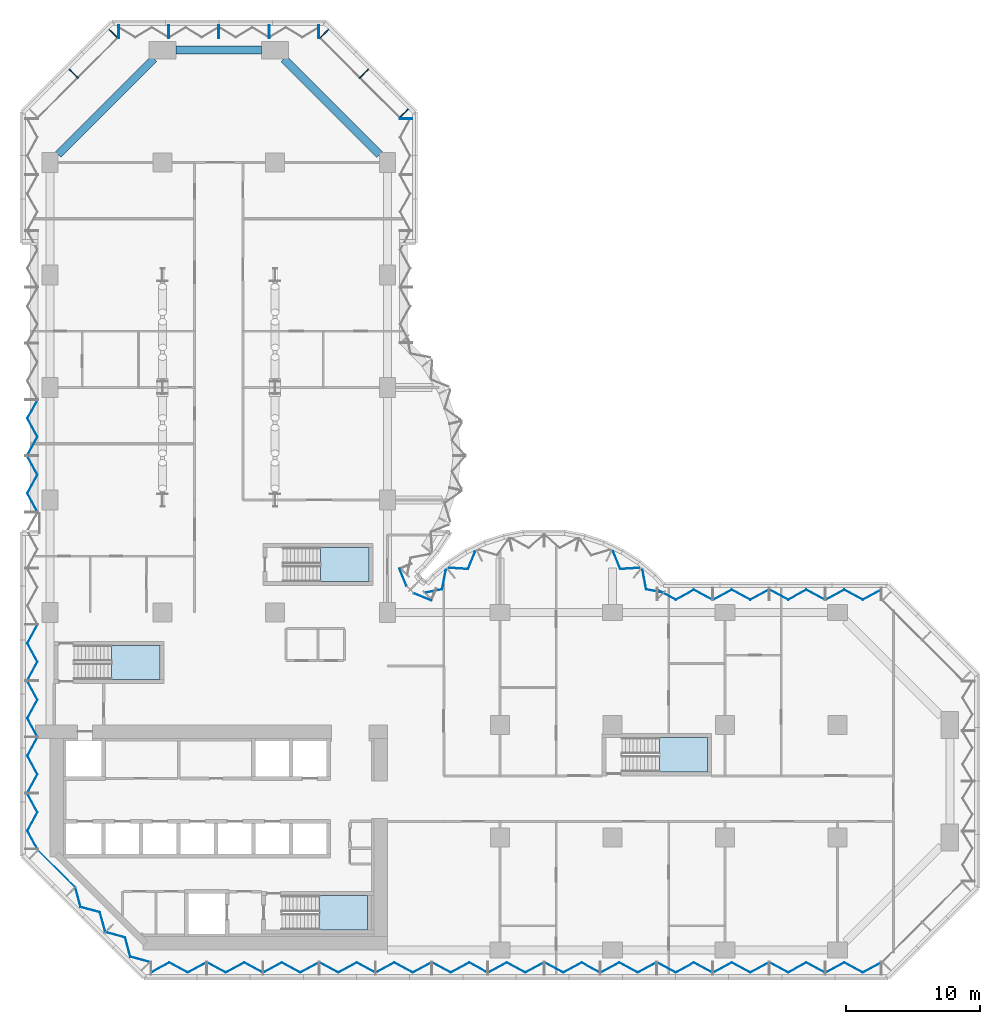
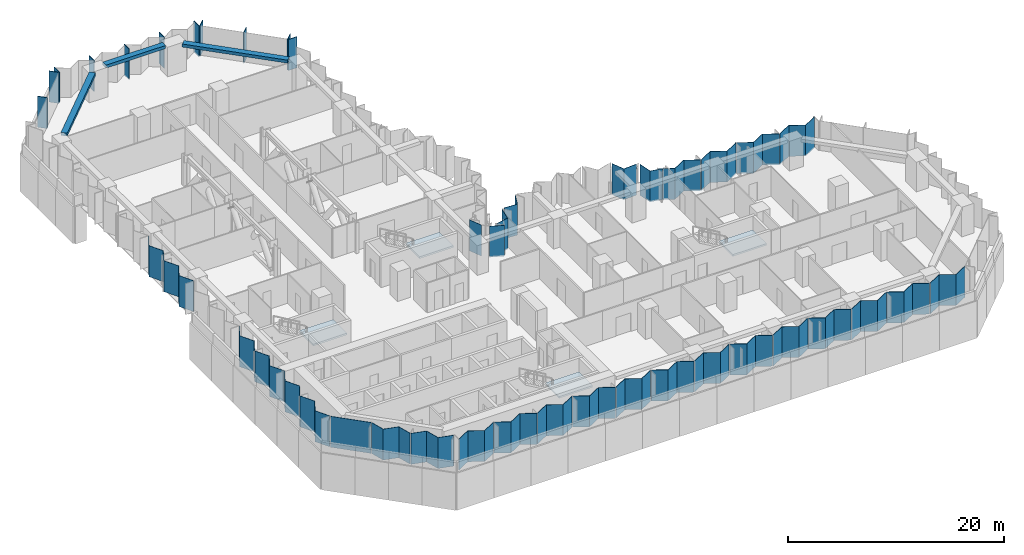
# One storey, part 6 of 24: 32 plates, 11 members, 4 slabs, 3 beams, 14 elements without a shape of their own.
"""IFC4 building model written with IfcOpenShell, lengths in metres."""

import ifcopenshell
import ifcopenshell.guid

model = None  # the IFC model being written
_history = None  # IfcOwnerHistory: only IFC2X3 demands one
_inside = {}  # id of a spatial element -> (the spatial element, [elements in it])
_under = {}  # id of a project, library or spatial element -> (it, [spatial elements below it])
_declared = {}  # id of a project -> (the project, [libraries it declares])
_typed = {}  # id of a type object -> (the type object, [elements of that type])
_made_of = {}  # id of a material, layer set ... -> (it, [elements and type objects made of it])


def new_model(schema):
    """Start an empty IFC model of exactly this schema.

    Asked for "IFC4X3", IfcOpenShell would pick the latest addendum, in which some entities
    have other attributes; the version numbers below select the first issue.
    IFC2X3 requires an IfcOwnerHistory on every rooted entity: one is made here for all.
    """
    global model, _history
    if schema == "IFC4X3":
        model = ifcopenshell.file(schema_version=(4, 3, 0, 0))
    else:
        model = ifcopenshell.file(schema=schema)
    _inside.clear()
    _under.clear()
    _declared.clear()
    _typed.clear()
    _made_of.clear()
    _history = None
    if model.schema == "IFC2X3":
        org = make("IfcOrganization", Name="unknown")
        user = make(
            "IfcPersonAndOrganization",
            ThePerson=make("IfcPerson", FamilyName="unknown"),
            TheOrganization=org,
        )
        app = make(
            "IfcApplication",
            ApplicationDeveloper=org,
            Version="unknown",
            ApplicationFullName="unknown",
            ApplicationIdentifier="unknown",
        )
        _history = make(
            "IfcOwnerHistory",
            OwningUser=user,
            OwningApplication=app,
            ChangeAction="ADDED",
            CreationDate=0,
        )
    return model


def make(cls, **values):
    """One entity of the class cls with the attributes given. An attribute that is None is left unset."""
    return model.create_entity(
        cls, **{name: value for name, value in values.items() if value is not None}
    )


def rooted(cls, **values):
    """An entity with a GlobalId (a new one), such as an element, a storey or a relation."""
    return make(cls, GlobalId=ifcopenshell.guid.new(), OwnerHistory=_history, **values)


def si_unit(unit_type, name, prefix=None):
    """IfcSIUnit, for example si_unit("LENGTHUNIT", "METRE", prefix="MILLI")."""
    return make("IfcSIUnit", UnitType=unit_type, Prefix=prefix, Name=name)


def assignment(units):
    """IfcUnitAssignment: the units of a project."""
    return None if units is None else make("IfcUnitAssignment", Units=units)


def point(xyz):
    """IfcCartesianPoint."""
    return None if xyz is None else make("IfcCartesianPoint", Coordinates=xyz)


def direction(xyz):
    """IfcDirection."""
    return None if xyz is None else make("IfcDirection", DirectionRatios=xyz)


def frame(location, z_axis=None, x_axis=None):
    """IfcAxis2Placement3D, a coordinate frame: its origin and axes. An axis left out is left unset."""
    return make(
        "IfcAxis2Placement3D",
        Location=point(location),
        Axis=direction(z_axis),
        RefDirection=direction(x_axis),
    )


def frame_2d(location, x_axis=None):
    """IfcAxis2Placement2D, a coordinate frame in the plane: its origin and x axis."""
    return make(
        "IfcAxis2Placement2D", Location=point(location), RefDirection=direction(x_axis)
    )


def origin():
    """The frame at (0, 0, 0) with its axes left unset."""
    return frame((0.0, 0.0, 0.0))


def origin_2d():
    """The frame at (0, 0) in the plane with its x axis left unset."""
    return frame_2d((0.0, 0.0))


def place(relative_to, where):
    """IfcLocalPlacement: puts the frame where relative to a parent placement (None: the world)."""
    return make(
        "IfcLocalPlacement", PlacementRelTo=relative_to, RelativePlacement=where
    )


def context(
    kind, dimensions, precision=None, world=None, true_north=None, identifier=None
):
    """IfcGeometricRepresentationContext, for example the 3D "Model" context."""
    return make(
        "IfcGeometricRepresentationContext",
        ContextIdentifier=identifier,
        ContextType=kind,
        CoordinateSpaceDimension=dimensions,
        Precision=precision,
        WorldCoordinateSystem=world,
        TrueNorth=true_north,
    )


def subcontext(parent, identifier, kind, view, scale=None):
    """IfcGeometricRepresentationSubContext, for example "Body" below "Model"."""
    return make(
        "IfcGeometricRepresentationSubContext",
        ContextIdentifier=identifier,
        ContextType=kind,
        ParentContext=parent,
        TargetScale=scale,
        TargetView=view,
    )


def project(units=None, contexts=None):
    """IfcProject with its units and contexts."""
    return rooted(
        "IfcProject",
        Name="project",
        RepresentationContexts=contexts,
        UnitsInContext=assignment(units),
    )


def spatial(cls, under=None, at=None, **own):
    """A site, building, storey or space (cls), placed at a placement, below another one or the project."""
    s = rooted(cls, ObjectPlacement=at, **own)
    if under is not None:
        _under.setdefault(under.id(), (under, []))[1].append(s)
    return s


def polyline(points):
    """IfcPolyline through the points."""
    return make("IfcPolyline", Points=[point(p) for p in points])


def profile(cls, at=None, kind="AREA", **sizes):
    """A parametric profile (cls). Its sizes go by their IFC names, for example OverallWidth=200.0."""
    return make(cls, ProfileType=kind, Position=at, **sizes)


def rectangle(**sizes):
    """IfcRectangleProfileDef."""
    return profile("IfcRectangleProfileDef", **sizes)


def outline(outer, holes=None, kind="AREA"):
    """IfcArbitraryClosedProfileDef: a profile drawn as a closed curve; with holes, ...WithVoids."""
    if holes is None:
        return make("IfcArbitraryClosedProfileDef", ProfileType=kind, OuterCurve=outer)
    return make(
        "IfcArbitraryProfileDefWithVoids",
        ProfileType=kind,
        OuterCurve=outer,
        InnerCurves=holes,
    )


def extrude(swept, where, along, depth):
    """IfcExtrudedAreaSolid: the profile swept, set in the frame where, extruded along a direction by depth."""
    return make(
        "IfcExtrudedAreaSolid",
        SweptArea=swept,
        Position=where,
        ExtrudedDirection=direction(along),
        Depth=depth,
    )


def shape(context_of_items, identifier, shape_type, items):
    """IfcShapeRepresentation: the items that make up one representation, for example the "Body"."""
    return make(
        "IfcShapeRepresentation",
        ContextOfItems=context_of_items,
        RepresentationIdentifier=identifier,
        RepresentationType=shape_type,
        Items=items,
    )


def material(Name=None, Category=None):
    """IfcMaterial."""
    return make("IfcMaterial", Name=Name, Category=Category)


def layer(
    of_material, thickness, ventilated=None, Name=None, Category=None, Priority=None
):
    """IfcMaterialLayer: one layer of a wall or slab, of a material (None: an air gap)."""
    return make(
        "IfcMaterialLayer",
        Material=of_material,
        LayerThickness=thickness,
        IsVentilated=ventilated,
        Name=Name,
        Category=Category,
        Priority=Priority,
    )


def layer_set(layers, Name=None):
    """IfcMaterialLayerSet."""
    return make("IfcMaterialLayerSet", MaterialLayers=layers, LayerSetName=Name)


def material_profile(
    of_material, cross_section, Name=None, Category=None, Priority=None
):
    """IfcMaterialProfile: a cross section and its material."""
    return make(
        "IfcMaterialProfile",
        Name=Name,
        Material=of_material,
        Profile=cross_section,
        Priority=Priority,
        Category=Category,
    )


def profile_set(profiles, Name=None, composite=None):
    """IfcMaterialProfileSet."""
    return make(
        "IfcMaterialProfileSet",
        Name=Name,
        MaterialProfiles=profiles,
        CompositeProfile=composite,
    )


def made_of(thing, what):
    """Note that an element or type object is made of a material, layer set ...; save() writes the relation."""
    if what is not None:
        _made_of.setdefault(what.id(), (what, []))[1].append(thing)
    return thing


def type_object(cls, material=None, **own):
    """A type object (cls), such as IfcWallType, which elements share."""
    return made_of(rooted(cls, **own), material)


def element(
    cls,
    number,
    at=None,
    inside=None,
    cuts=None,
    type_object=None,
    material=None,
    context=None,
    identifier="Body",
    shape_type=None,
    held_by="IfcProductDefinitionShape",
    body=None,
    shapes=None,
    **own,
):
    """One element of the class cls, such as IfcWall. Its Tag is "e" and its number.

    at: its placement. inside: the storey or other place that contains it. cuts: it is an
    opening in that element (IfcRelVoidsElement). A single representation is given by context,
    identifier, shape_type and body (its items); several are given by shapes. held_by: the class
    of the entity that holds the representations. save() writes the other relations.
    """
    e = rooted(cls, Tag="e%d" % number, ObjectPlacement=at, **own)
    if body is not None:
        shapes = [shape(context, identifier, shape_type, body)]
    if shapes is not None:
        e.Representation = make(held_by, Representations=shapes)
    if inside is not None:
        _inside.setdefault(inside.id(), (inside, []))[1].append(e)
    if cuts is not None:
        rooted(
            "IfcRelVoidsElement", RelatingBuildingElement=cuts, RelatedOpeningElement=e
        )
    if type_object is not None:
        _typed.setdefault(type_object.id(), (type_object, []))[1].append(e)
    return made_of(e, material)


def aggregate(whole, parts):
    """IfcRelAggregates: a whole, such as a stair, and the parts it consists of."""
    return rooted("IfcRelAggregates", RelatingObject=whole, RelatedObjects=parts)


def save(model, path):
    """Write the relations noted so far, then the file.

    IfcRelAggregates (storeys below a building ...), IfcRelContainedInSpatialStructure (elements
    in a storey), IfcRelDefinesByType, IfcRelAssociatesMaterial and IfcRelDeclares: one each for
    every whole, place, type object, material and project.
    """
    for whole, parts in _under.values():
        aggregate(whole, parts)
    for where, things in _inside.values():
        rooted(
            "IfcRelContainedInSpatialStructure",
            RelatedElements=things,
            RelatingStructure=where,
        )
    for kind, things in _typed.values():
        rooted("IfcRelDefinesByType", RelatedObjects=things, RelatingType=kind)
    for what, things in _made_of.values():
        rooted("IfcRelAssociatesMaterial", RelatedObjects=things, RelatingMaterial=what)
    for by, libraries in _declared.values():
        rooted("IfcRelDeclares", RelatingContext=by, RelatedDefinitions=libraries)
    model.write(path)


model = new_model("IFC4")

# Units and contexts
model_context = context("Model", 3, precision=1e-05, world=origin(), true_north=direction((0.0, 1.0)))
body_context = subcontext(model_context, "Body", "Model", "MODEL_VIEW")
ifc_project = project(units=[si_unit("LENGTHUNIT", "METRE"), si_unit("AREAUNIT", "SQUARE_METRE"), si_unit("VOLUMEUNIT", "CUBIC_METRE"), si_unit("PLANEANGLEUNIT", "RADIAN"), si_unit("MASSUNIT", "GRAM", prefix="KILO")], contexts=[model_context])

# Site, building, storey
site_placement = place(None, origin())
site = spatial("IfcSite", under=ifc_project, at=site_placement, CompositionType="ELEMENT")
building_placement = place(site_placement, origin())
building = spatial("IfcBuilding", under=site, at=building_placement, Name="Brevane Broadcast Tower", CompositionType="ELEMENT")
storey_placement = place(building_placement, frame((0.0, 0.0, 36.5)))
storey = spatial("IfcBuildingStorey", under=building, at=storey_placement, Name="L06", CompositionType="ELEMENT", Elevation=36.5)

# Curtain wall, member
ifc_material_1 = material(Name="Aluminium 6063-T6 bronze anodised", Category="aluminium")
curtain_wall_type = type_object("IfcCurtainWallType", Name="CW-1 curtain wall", PredefinedType="NOTDEFINED", material=ifc_material_1)
curtain_wall_1_placement = place(storey_placement, origin())
curtain_wall_1 = element("IfcCurtainWall", 1, at=curtain_wall_1_placement, inside=storey, type_object=curtain_wall_type, Name="CW-1 typical tilted unit L06 north arm east face", PredefinedType="NOTDEFINED")
ifc_material_profile_1 = material_profile(ifc_material_1, rectangle(XDim=0.949951171875, YDim=0.070068359375, at=origin_2d()), Name="RECT 70x950")
ifc_profile_set_1 = profile_set([ifc_material_profile_1], Name="Aluminium 6063-T6 bronze anodised")
member_type = type_object("IfcMemberType", Name="CW-1 mullion 70x950", PredefinedType="MULLION", material=ifc_profile_set_1)
member_1_placement = place(storey_placement, frame((26.574951171875, 62.06494140625, -0.14990234375), z_axis=(0.0, 0.0, 1.0), x_axis=(-1.0, 0.0, 0.0)))
member_1 = element("IfcMember", 2, at=member_1_placement, type_object=member_type, Name="CW-1 mullion", PredefinedType="MULLION", context=body_context, shape_type="SweptSolid", body=[
    extrude(rectangle(XDim=0.949951171875, YDim=0.070068359375, at=origin_2d()), origin(), (0.0, 0.0, 1.0), 3.5),
])
aggregate(curtain_wall_1, [member_1])

# Curtain wall, members
curtain_wall_2_placement = place(storey_placement, origin())
curtain_wall_2 = element("IfcCurtainWall", 3, at=curtain_wall_2_placement, inside=storey, type_object=curtain_wall_type, Name="CW-1 typical tilted unit L06 north arm north-east chamfer", PredefinedType="NOTDEFINED")
member_2_placement = place(storey_placement, frame((26.4111328125, 62.460693359375, -0.14990234375), z_axis=(0.0, 0.0, 1.0), x_axis=(-0.707106781187, -0.707106781187, 0.0)))
member_2 = element("IfcMember", 4, at=member_2_placement, type_object=member_type, Name="CW-1 mullion", PredefinedType="MULLION", context=body_context, shape_type="SweptSolid", body=[
    extrude(rectangle(XDim=0.949951171875, YDim=0.070068359375, at=origin_2d()), origin(), (0.0, 0.0, 1.0), 3.5),
])
member_3_placement = place(storey_placement, frame((23.435791015625, 65.435791015625, -0.14990234375), z_axis=(0.0, 0.0, 1.0), x_axis=(-0.707106781187, -0.707106781187, 0.0)))
member_3 = element("IfcMember", 5, at=member_3_placement, type_object=member_type, Name="CW-1 mullion", PredefinedType="MULLION", context=body_context, shape_type="SweptSolid", body=[
    extrude(rectangle(XDim=0.949951171875, YDim=0.070068359375, at=origin_2d()), origin(), (0.0, 0.0, 1.0), 3.5),
])
member_4_placement = place(storey_placement, frame((20.460693359375, 68.4111328125, -0.14990234375), z_axis=(0.0, 0.0, 1.0), x_axis=(-0.707106781187, -0.707106781187, 0.0)))
member_4 = element("IfcMember", 6, at=member_4_placement, type_object=member_type, Name="CW-1 mullion", PredefinedType="MULLION", context=body_context, shape_type="SweptSolid", body=[
    extrude(rectangle(XDim=0.949951171875, YDim=0.070068359375, at=origin_2d()), origin(), (0.0, 0.0, 1.0), 3.5),
])
aggregate(curtain_wall_2, [member_2, member_3, member_4])

curtain_wall_3_placement = place(storey_placement, origin())
curtain_wall_3 = element("IfcCurtainWall", 7, at=curtain_wall_3_placement, inside=storey, type_object=curtain_wall_type, Name="CW-1 typical tilted unit L06 north end", PredefinedType="NOTDEFINED")
member_5_placement = place(storey_placement, frame((20.06494140625, 68.574951171875, -0.14990234375), z_axis=(0.0, 0.0, 1.0), x_axis=(0.0, -1.0, 0.0)))
member_5 = element("IfcMember", 8, at=member_5_placement, type_object=member_type, Name="CW-1 mullion", PredefinedType="MULLION", context=body_context, shape_type="SweptSolid", body=[
    extrude(rectangle(XDim=0.949951171875, YDim=0.070068359375, at=origin_2d()), origin(), (0.0, 0.0, 1.0), 3.5),
])
member_6_placement = place(storey_placement, frame((16.35009765625, 68.574951171875, -0.14990234375), z_axis=(0.0, 0.0, 1.0), x_axis=(0.0, -1.0, 0.0)))
member_6 = element("IfcMember", 9, at=member_6_placement, type_object=member_type, Name="CW-1 mullion", PredefinedType="MULLION", context=body_context, shape_type="SweptSolid", body=[
    extrude(rectangle(XDim=0.949951171875, YDim=0.070068359375, at=origin_2d()), origin(), (0.0, 0.0, 1.0), 3.5),
])
member_7_placement = place(storey_placement, frame((12.60009765625, 68.574951171875, -0.14990234375), z_axis=(0.0, 0.0, 1.0), x_axis=(0.0, -1.0, 0.0)))
member_7 = element("IfcMember", 10, at=member_7_placement, type_object=member_type, Name="CW-1 mullion", PredefinedType="MULLION", context=body_context, shape_type="SweptSolid", body=[
    extrude(rectangle(XDim=0.949951171875, YDim=0.070068359375, at=origin_2d()), origin(), (0.0, 0.0, 1.0), 3.5),
])
member_8_placement = place(storey_placement, frame((8.85009765625, 68.574951171875, -0.14990234375), z_axis=(0.0, 0.0, 1.0), x_axis=(0.0, -1.0, 0.0)))
member_8 = element("IfcMember", 11, at=member_8_placement, type_object=member_type, Name="CW-1 mullion", PredefinedType="MULLION", context=body_context, shape_type="SweptSolid", body=[
    extrude(rectangle(XDim=0.949951171875, YDim=0.070068359375, at=origin_2d()), origin(), (0.0, 0.0, 1.0), 3.5),
])
member_9_placement = place(storey_placement, frame((5.135009765625, 68.574951171875, -0.14990234375), z_axis=(0.0, 0.0, 1.0), x_axis=(0.0, -1.0, 0.0)))
member_9 = element("IfcMember", 12, at=member_9_placement, type_object=member_type, Name="CW-1 mullion", PredefinedType="MULLION", context=body_context, shape_type="SweptSolid", body=[
    extrude(rectangle(XDim=0.949951171875, YDim=0.070068359375, at=origin_2d()), origin(), (0.0, 0.0, 1.0), 3.5),
])
aggregate(curtain_wall_3, [member_5, member_6, member_7, member_8, member_9])

curtain_wall_4_placement = place(storey_placement, origin())
curtain_wall_4 = element("IfcCurtainWall", 13, at=curtain_wall_4_placement, inside=storey, type_object=curtain_wall_type, Name="CW-1 typical tilted unit L06 north-west chamfer", PredefinedType="NOTDEFINED")
member_10_placement = place(storey_placement, frame((4.7392578125, 68.4111328125, -0.14990234375), z_axis=(0.0, 0.0, 1.0), x_axis=(0.707106781187, -0.707106781187, 0.0)))
member_10 = element("IfcMember", 14, at=member_10_placement, type_object=member_type, Name="CW-1 mullion", PredefinedType="MULLION", context=body_context, shape_type="SweptSolid", body=[
    extrude(rectangle(XDim=0.949951171875, YDim=0.070068359375, at=origin_2d()), origin(), (0.0, 0.0, 1.0), 3.5),
])
member_11_placement = place(storey_placement, frame((1.76416015625, 65.435791015625, -0.14990234375), z_axis=(0.0, 0.0, 1.0), x_axis=(0.707106781187, -0.707106781187, 0.0)))
member_11 = element("IfcMember", 15, at=member_11_placement, type_object=member_type, Name="CW-1 mullion", PredefinedType="MULLION", context=body_context, shape_type="SweptSolid", body=[
    extrude(rectangle(XDim=0.949951171875, YDim=0.070068359375, at=origin_2d()), origin(), (0.0, 0.0, 1.0), 3.5),
])
aggregate(curtain_wall_4, [member_10, member_11])

# Beams
ifc_material_2 = material(Name="Concrete C40/50", Category="concrete")
ifc_material_profile_2 = material_profile(ifc_material_2, rectangle(XDim=0.60009765625, YDim=0.35009765625, at=origin_2d()), Name="RC 600x350")
ifc_profile_set_2 = profile_set([ifc_material_profile_2], Name="Concrete C40/50")
beam_type = type_object("IfcBeamType", Name="RC SPANDREL BEAM 600x350 C40/50", PredefinedType="SPANDREL", material=ifc_profile_set_2)
beam_1_placement = place(storey_placement, frame((24.60009765625, 59.39990234375, 3.175048828125), z_axis=(-0.707106781187, 0.707106781187, 0.0), x_axis=(-0.707106781187, -0.707106781187, 0.0)))
element("IfcBeam", 16, at=beam_1_placement, inside=storey, type_object=beam_type, Name="EB1 L06-16", PredefinedType="SPANDREL", context=body_context, shape_type="SweptSolid", body=[
    extrude(rectangle(XDim=0.60009765625, YDim=0.35009765625, at=origin_2d()), origin(), (0.0, 0.0, 1.0), 10.11181640625),
])
beam_2_placement = place(storey_placement, frame((15.800048828125, 67.199951171875, 3.175048828125), z_axis=(-1.0, 0.0, 0.0), x_axis=(0.0, -1.0, 0.0)))
element("IfcBeam", 17, at=beam_2_placement, inside=storey, type_object=beam_type, Name="EB1 L06-17", PredefinedType="SPANDREL", context=body_context, shape_type="SweptSolid", body=[
    extrude(rectangle(XDim=0.60009765625, YDim=0.35009765625, at=origin_2d()), origin(), (0.0, 0.0, 1.0), 6.400146484375),
])
beam_3_placement = place(storey_placement, frame((7.75, 66.550048828125, 3.175048828125), z_axis=(-0.707094708853, -0.707118853314, 0.0), x_axis=(0.707118853314, -0.707094708853, 0.0)))
element("IfcBeam", 18, at=beam_3_placement, inside=storey, type_object=beam_type, Name="EB1 L06-18", PredefinedType="SPANDREL", context=body_context, shape_type="SweptSolid", body=[
    extrude(rectangle(XDim=0.60009765625, YDim=0.35009765625, at=origin_2d()), origin(), (0.0, 0.0, 1.0), 10.111572265625),
])

# Curtain wall, plates
curtain_wall_5_placement = place(storey_placement, origin())
curtain_wall_5 = element("IfcCurtainWall", 19, at=curtain_wall_5_placement, inside=storey, type_object=curtain_wall_type, Name="CW-1 typical tilted unit L06 south face", PredefinedType="NOTDEFINED")
ifc_material_3 = material(Name="Laminated glass bronze-tinted", Category="glass")
ifc_layer_1 = layer(ifc_material_3, 0.0400390625)
ifc_layer_set_1 = layer_set([ifc_layer_1], Name="CW tall glass panel 40")
plate_type = type_object("IfcPlateType", Name="CW tall glass panel 40", PredefinedType="CURTAIN_PANEL", material=ifc_layer_set_1)
plate_1_placement = place(storey_placement, frame((0.0, 0.0, -0.14990234375)))
plate_1 = element("IfcPlate", 20, at=plate_1_placement, type_object=plate_type, Name="CW-1 glass panel", PredefinedType="CURTAIN_PANEL", context=body_context, shape_type="SweptSolid", body=[
    extrude(outline(polyline([(7.534912109375, -1.671630859375), (7.534912109375, -1.717041015625), (8.91162109375, -0.97265625), (10.288330078125, -1.717041015625), (11.6650390625, -0.97265625), (11.6650390625, -0.92724609375), (10.288330078125, -1.671630859375), (8.91162109375, -0.92724609375), (7.534912109375, -1.671630859375)])), origin(), (0.0, 0.0, 1.0), 3.5),
])
plate_2_placement = place(storey_placement, frame((0.0, 0.0, -0.14990234375)))
plate_2 = element("IfcPlate", 21, at=plate_2_placement, type_object=plate_type, Name="CW-1 glass panel", PredefinedType="CURTAIN_PANEL", context=body_context, shape_type="SweptSolid", body=[
    extrude(outline(polyline([(11.735107421875, -0.92724609375), (11.735107421875, -0.97265625), (13.11181640625, -1.717041015625), (14.48828125, -0.97265625), (15.864990234375, -1.717041015625), (15.864990234375, -1.671630859375), (14.48828125, -0.92724609375), (13.11181640625, -1.671630859375), (11.735107421875, -0.92724609375)])), origin(), (0.0, 0.0, 1.0), 3.5),
])
plate_3_placement = place(storey_placement, frame((0.0, 0.0, -0.14990234375)))
plate_3 = element("IfcPlate", 22, at=plate_3_placement, type_object=plate_type, Name="CW-1 glass panel", PredefinedType="CURTAIN_PANEL", context=body_context, shape_type="SweptSolid", body=[
    extrude(outline(polyline([(15.93505859375, -1.671630859375), (15.93505859375, -1.717041015625), (17.311767578125, -0.97265625), (18.688232421875, -1.717041015625), (20.06494140625, -0.97265625), (20.06494140625, -0.92724609375), (18.688232421875, -1.671630859375), (17.311767578125, -0.92724609375), (15.93505859375, -1.671630859375)])), origin(), (0.0, 0.0, 1.0), 3.5),
])
plate_4_placement = place(storey_placement, frame((0.0, 0.0, -0.14990234375)))
plate_4 = element("IfcPlate", 23, at=plate_4_placement, type_object=plate_type, Name="CW-1 glass panel", PredefinedType="CURTAIN_PANEL", context=body_context, shape_type="SweptSolid", body=[
    extrude(outline(polyline([(20.135009765625, -0.92724609375), (20.135009765625, -0.97265625), (21.51171875, -1.717041015625), (22.88818359375, -0.97265625), (24.264892578125, -1.717041015625), (24.264892578125, -1.671630859375), (22.88818359375, -0.92724609375), (21.51171875, -1.671630859375), (20.135009765625, -0.92724609375)])), origin(), (0.0, 0.0, 1.0), 3.5),
])
plate_5_placement = place(storey_placement, frame((0.0, 0.0, -0.14990234375)))
plate_5 = element("IfcPlate", 24, at=plate_5_placement, type_object=plate_type, Name="CW-1 glass panel", PredefinedType="CURTAIN_PANEL", context=body_context, shape_type="SweptSolid", body=[
    extrude(outline(polyline([(24.3349609375, -1.671630859375), (24.3349609375, -1.717041015625), (25.711669921875, -0.97265625), (27.08837890625, -1.717041015625), (28.465087890625, -0.97265625), (28.465087890625, -0.92724609375), (27.08837890625, -1.671630859375), (25.711669921875, -0.92724609375), (24.3349609375, -1.671630859375)])), origin(), (0.0, 0.0, 1.0), 3.5),
])
plate_6_placement = place(storey_placement, frame((0.0, 0.0, -0.14990234375)))
plate_6 = element("IfcPlate", 25, at=plate_6_placement, type_object=plate_type, Name="CW-1 glass panel", PredefinedType="CURTAIN_PANEL", context=body_context, shape_type="SweptSolid", body=[
    extrude(outline(polyline([(28.534912109375, -0.92724609375), (28.534912109375, -0.97265625), (29.91162109375, -1.717041015625), (31.288330078125, -0.97265625), (32.6650390625, -1.717041015625), (32.6650390625, -1.671630859375), (31.288330078125, -0.92724609375), (29.91162109375, -1.671630859375), (28.534912109375, -0.92724609375)])), origin(), (0.0, 0.0, 1.0), 3.5),
])
plate_7_placement = place(storey_placement, frame((0.0, 0.0, -0.14990234375)))
plate_7 = element("IfcPlate", 26, at=plate_7_placement, type_object=plate_type, Name="CW-1 glass panel", PredefinedType="CURTAIN_PANEL", context=body_context, shape_type="SweptSolid", body=[
    extrude(outline(polyline([(32.735107421875, -1.671630859375), (32.735107421875, -1.717041015625), (34.11181640625, -0.97265625), (35.48828125, -1.717041015625), (36.864990234375, -0.97265625), (36.864990234375, -0.92724609375), (35.48828125, -1.671630859375), (34.11181640625, -0.92724609375), (32.735107421875, -1.671630859375)])), origin(), (0.0, 0.0, 1.0), 3.5),
])
plate_8_placement = place(storey_placement, frame((0.0, 0.0, -0.14990234375)))
plate_8 = element("IfcPlate", 27, at=plate_8_placement, type_object=plate_type, Name="CW-1 glass panel", PredefinedType="CURTAIN_PANEL", context=body_context, shape_type="SweptSolid", body=[
    extrude(outline(polyline([(36.93505859375, -0.92724609375), (36.93505859375, -0.97265625), (38.311767578125, -1.717041015625), (39.688232421875, -0.97265625), (41.06494140625, -1.717041015625), (41.06494140625, -1.671630859375), (39.688232421875, -0.92724609375), (38.311767578125, -1.671630859375), (36.93505859375, -0.92724609375)])), origin(), (0.0, 0.0, 1.0), 3.5),
])
plate_9_placement = place(storey_placement, frame((0.0, 0.0, -0.14990234375)))
plate_9 = element("IfcPlate", 28, at=plate_9_placement, type_object=plate_type, Name="CW-1 glass panel", PredefinedType="CURTAIN_PANEL", context=body_context, shape_type="SweptSolid", body=[
    extrude(outline(polyline([(41.135009765625, -1.671630859375), (41.135009765625, -1.717041015625), (42.51171875, -0.97265625), (43.88818359375, -1.717041015625), (45.264892578125, -0.97265625), (45.264892578125, -0.92724609375), (43.88818359375, -1.671630859375), (42.51171875, -0.92724609375), (41.135009765625, -1.671630859375)])), origin(), (0.0, 0.0, 1.0), 3.5),
])
plate_10_placement = place(storey_placement, frame((0.0, 0.0, -0.14990234375)))
plate_10 = element("IfcPlate", 29, at=plate_10_placement, type_object=plate_type, Name="CW-1 glass panel", PredefinedType="CURTAIN_PANEL", context=body_context, shape_type="SweptSolid", body=[
    extrude(outline(polyline([(45.3349609375, -0.92724609375), (45.3349609375, -0.97265625), (46.711669921875, -1.717041015625), (48.08837890625, -0.97265625), (49.465087890625, -1.717041015625), (49.465087890625, -1.671630859375), (48.08837890625, -0.92724609375), (46.711669921875, -1.671630859375), (45.3349609375, -0.92724609375)])), origin(), (0.0, 0.0, 1.0), 3.5),
])
plate_11_placement = place(storey_placement, frame((0.0, 0.0, -0.14990234375)))
plate_11 = element("IfcPlate", 30, at=plate_11_placement, type_object=plate_type, Name="CW-1 glass panel", PredefinedType="CURTAIN_PANEL", context=body_context, shape_type="SweptSolid", body=[
    extrude(outline(polyline([(49.534912109375, -1.671630859375), (49.534912109375, -1.717041015625), (50.91162109375, -0.97265625), (52.288330078125, -1.717041015625), (53.6650390625, -0.97265625), (53.6650390625, -0.92724609375), (52.288330078125, -1.671630859375), (50.91162109375, -0.92724609375), (49.534912109375, -1.671630859375)])), origin(), (0.0, 0.0, 1.0), 3.5),
])
plate_12_placement = place(storey_placement, frame((0.0, 0.0, -0.14990234375)))
plate_12 = element("IfcPlate", 31, at=plate_12_placement, type_object=plate_type, Name="CW-1 glass panel", PredefinedType="CURTAIN_PANEL", context=body_context, shape_type="SweptSolid", body=[
    extrude(outline(polyline([(53.735107421875, -0.92724609375), (53.735107421875, -0.97265625), (55.11181640625, -1.717041015625), (56.48828125, -0.97265625), (57.864990234375, -1.717041015625), (57.864990234375, -1.671630859375), (56.48828125, -0.92724609375), (55.11181640625, -1.671630859375), (53.735107421875, -0.92724609375)])), origin(), (0.0, 0.0, 1.0), 3.5),
])
plate_13_placement = place(storey_placement, frame((0.0, 0.0, -0.14990234375)))
plate_13 = element("IfcPlate", 32, at=plate_13_placement, type_object=plate_type, Name="CW-1 glass panel", PredefinedType="CURTAIN_PANEL", context=body_context, shape_type="SweptSolid", body=[
    extrude(outline(polyline([(57.93505859375, -1.671630859375), (57.93505859375, -1.717041015625), (59.311767578125, -0.97265625), (60.688232421875, -1.717041015625), (62.06494140625, -0.97265625), (62.06494140625, -0.92724609375), (60.688232421875, -1.671630859375), (59.311767578125, -0.92724609375), (57.93505859375, -1.671630859375)])), origin(), (0.0, 0.0, 1.0), 3.5),
])
aggregate(curtain_wall_5, [plate_1, plate_2, plate_3, plate_4, plate_5, plate_6, plate_7, plate_8, plate_9, plate_10, plate_11, plate_12, plate_13])

curtain_wall_6_placement = place(storey_placement, origin())
curtain_wall_6 = element("IfcCurtainWall", 33, at=curtain_wall_6_placement, inside=storey, type_object=curtain_wall_type, Name="CW-1 typical tilted unit L06 east arm north face", PredefinedType="NOTDEFINED")
plate_14_placement = place(storey_placement, frame((0.0, 0.0, -0.14990234375)))
plate_14 = element("IfcPlate", 34, at=plate_14_placement, type_object=plate_type, Name="CW-1 glass panel", PredefinedType="CURTAIN_PANEL", context=body_context, shape_type="SweptSolid", body=[
    extrude(outline(polyline([(62.06494140625, 26.87158203125), (62.06494140625, 26.9169921875), (60.688232421875, 26.172607421875), (59.311767578125, 26.9169921875), (57.93505859375, 26.172607421875), (57.93505859375, 26.127197265625), (59.311767578125, 26.87158203125), (60.688232421875, 26.127197265625), (62.06494140625, 26.87158203125)])), origin(), (0.0, 0.0, 1.0), 3.5),
])
plate_15_placement = place(storey_placement, frame((0.0, 0.0, -0.14990234375)))
plate_15 = element("IfcPlate", 35, at=plate_15_placement, type_object=plate_type, Name="CW-1 glass panel", PredefinedType="CURTAIN_PANEL", context=body_context, shape_type="SweptSolid", body=[
    extrude(outline(polyline([(57.864990234375, 26.127197265625), (57.864990234375, 26.172607421875), (56.48828125, 26.9169921875), (55.11181640625, 26.172607421875), (53.735107421875, 26.9169921875), (53.735107421875, 26.87158203125), (55.11181640625, 26.127197265625), (56.48828125, 26.87158203125), (57.864990234375, 26.127197265625)])), origin(), (0.0, 0.0, 1.0), 3.5),
])
plate_16_placement = place(storey_placement, frame((0.0, 0.0, -0.14990234375)))
plate_16 = element("IfcPlate", 36, at=plate_16_placement, type_object=plate_type, Name="CW-1 glass panel", PredefinedType="CURTAIN_PANEL", context=body_context, shape_type="SweptSolid", body=[
    extrude(outline(polyline([(53.6650390625, 26.87158203125), (53.6650390625, 26.9169921875), (52.288330078125, 26.172607421875), (50.91162109375, 26.9169921875), (49.534912109375, 26.172607421875), (49.534912109375, 26.127197265625), (50.91162109375, 26.87158203125), (52.288330078125, 26.127197265625), (53.6650390625, 26.87158203125)])), origin(), (0.0, 0.0, 1.0), 3.5),
])
plate_17_placement = place(storey_placement, frame((0.0, 0.0, -0.14990234375)))
plate_17 = element("IfcPlate", 37, at=plate_17_placement, type_object=plate_type, Name="CW-1 glass panel", PredefinedType="CURTAIN_PANEL", context=body_context, shape_type="SweptSolid", body=[
    extrude(outline(polyline([(49.465087890625, 26.127197265625), (49.465087890625, 26.172607421875), (48.08837890625, 26.9169921875), (46.711669921875, 26.172607421875), (45.3349609375, 26.9169921875), (45.3349609375, 26.87158203125), (46.711669921875, 26.127197265625), (48.08837890625, 26.87158203125), (49.465087890625, 26.127197265625)])), origin(), (0.0, 0.0, 1.0), 3.5),
])
aggregate(curtain_wall_6, [plate_14, plate_15, plate_16, plate_17])

curtain_wall_7_placement = place(storey_placement, origin())
curtain_wall_7 = element("IfcCurtainWall", 38, at=curtain_wall_7_placement, inside=storey, type_object=curtain_wall_type, Name="CW-1 typical tilted unit L06 east bow", PredefinedType="NOTDEFINED")
plate_18_placement = place(storey_placement, frame((0.0, 0.0, -0.14990234375)))
plate_18 = element("IfcPlate", 39, at=plate_18_placement, type_object=plate_type, Name="CW-1 glass panel", PredefinedType="CURTAIN_PANEL", context=body_context, shape_type="SweptSolid", body=[
    extrude(outline(polyline([(45.79150390625, 26.656005859375), (45.82470703125, 26.690185546875), (44.539306640625, 26.9423828125), (44.263916015625, 28.3857421875), (44.231201171875, 28.34375), (44.5048828125, 26.908203125), (45.79150390625, 26.656005859375)])), origin(), (0.0, 0.0, 1.0), 3.5),
])
plate_19_placement = place(storey_placement, frame((0.0, 0.0, -0.14990234375)))
plate_19 = element("IfcPlate", 40, at=plate_19_placement, type_object=plate_type, Name="CW-1 glass panel", PredefinedType="CURTAIN_PANEL", context=body_context, shape_type="SweptSolid", body=[
    extrude(outline(polyline([(43.950439453125, 28.5087890625), (43.9833984375, 28.551025390625), (42.601318359375, 28.462890625), (42.0703125, 29.76171875), (42.046875, 29.712890625), (42.5751953125, 28.42138671875), (43.950439453125, 28.5087890625)])), origin(), (0.0, 0.0, 1.0), 3.5),
])
plate_20_placement = place(storey_placement, frame((0.0, 0.0, -0.14990234375)))
plate_20 = element("IfcPlate", 41, at=plate_20_placement, type_object=plate_type, Name="CW-1 glass panel", PredefinedType="CURTAIN_PANEL", context=body_context, shape_type="SweptSolid", body=[
    extrude(outline(polyline([(31.753173828125, 29.712890625), (31.729736328125, 29.76171875), (31.198486328125, 28.462890625), (29.816650390625, 28.551025390625), (29.849609375, 28.5087890625), (31.224609375, 28.42138671875), (31.753173828125, 29.712890625)])), origin(), (0.0, 0.0, 1.0), 3.5),
])
plate_21_placement = place(storey_placement, frame((0.0, 0.0, -0.14990234375)))
plate_21 = element("IfcPlate", 42, at=plate_21_placement, type_object=plate_type, Name="CW-1 glass panel", PredefinedType="CURTAIN_PANEL", context=body_context, shape_type="SweptSolid", body=[
    extrude(outline(polyline([(29.568603515625, 28.34375), (29.535888671875, 28.3857421875), (29.2607421875, 26.9423828125), (27.975341796875, 26.690185546875), (28.008544921875, 26.656005859375), (29.294921875, 26.908203125), (29.568603515625, 28.34375)])), origin(), (0.0, 0.0, 1.0), 3.5),
])
aggregate(curtain_wall_7, [plate_18, plate_19, plate_20, plate_21])

curtain_wall_8_placement = place(storey_placement, origin())
curtain_wall_8 = element("IfcCurtainWall", 43, at=curtain_wall_8_placement, inside=storey, type_object=curtain_wall_type, Name="CW-1 typical tilted unit L06 inner corner", PredefinedType="NOTDEFINED")
plate_22_placement = place(storey_placement, frame((0.0, 0.0, -0.14990234375)))
plate_22 = element("IfcPlate", 44, at=plate_22_placement, type_object=plate_type, Name="CW-1 glass panel", PredefinedType="CURTAIN_PANEL", context=body_context, shape_type="SweptSolid", body=[
    extrude(outline(polyline([(28.45166015625, 26.07470703125), (28.466796875, 26.111572265625), (27.2021484375, 26.635498046875), (27.17138671875, 26.60498046875), (28.45166015625, 26.07470703125)])), origin(), (0.0, 0.0, 1.0), 3.5),
])
plate_23_placement = place(storey_placement, frame((0.0, 0.0, -0.14990234375)))
plate_23 = element("IfcPlate", 45, at=plate_23_placement, type_object=plate_type, Name="CW-1 glass panel", PredefinedType="CURTAIN_PANEL", context=body_context, shape_type="SweptSolid", body=[
    extrude(outline(polyline([(26.60498046875, 27.17138671875), (26.635498046875, 27.2021484375), (26.111572265625, 28.466796875), (26.07470703125, 28.45166015625), (26.60498046875, 27.17138671875)])), origin(), (0.0, 0.0, 1.0), 3.5),
])
aggregate(curtain_wall_8, [plate_22, plate_23])

curtain_wall_9_placement = place(storey_placement, origin())
curtain_wall_9 = element("IfcCurtainWall", 46, at=curtain_wall_9_placement, inside=storey, type_object=curtain_wall_type, Name="CW-1 typical tilted unit L06 west face", PredefinedType="NOTDEFINED")
plate_24_placement = place(storey_placement, frame((0.0, 0.0, -0.14990234375)))
plate_24 = element("IfcPlate", 47, at=plate_24_placement, type_object=plate_type, Name="CW-1 glass panel", PredefinedType="CURTAIN_PANEL", context=body_context, shape_type="SweptSolid", body=[
    extrude(outline(polyline([(-0.92724609375, 41.06494140625), (-0.97265625, 41.06494140625), (-1.717041015625, 39.688232421875), (-0.97265625, 38.311767578125), (-1.717041015625, 36.93505859375), (-1.671630859375, 36.93505859375), (-0.92724609375, 38.311767578125), (-1.671630859375, 39.688232421875), (-0.92724609375, 41.06494140625)])), origin(), (0.0, 0.0, 1.0), 3.5),
])
plate_25_placement = place(storey_placement, frame((0.0, 0.0, -0.14990234375)))
plate_25 = element("IfcPlate", 48, at=plate_25_placement, type_object=plate_type, Name="CW-1 glass panel", PredefinedType="CURTAIN_PANEL", context=body_context, shape_type="SweptSolid", body=[
    extrude(outline(polyline([(-1.671630859375, 36.864990234375), (-1.717041015625, 36.864990234375), (-0.97265625, 35.48828125), (-1.717041015625, 34.11181640625), (-0.97265625, 32.735107421875), (-0.92724609375, 32.735107421875), (-1.671630859375, 34.11181640625), (-0.92724609375, 35.48828125), (-1.671630859375, 36.864990234375)])), origin(), (0.0, 0.0, 1.0), 3.5),
])
plate_26_placement = place(storey_placement, frame((0.0, 0.0, -0.14990234375)))
plate_26 = element("IfcPlate", 49, at=plate_26_placement, type_object=plate_type, Name="CW-1 glass panel", PredefinedType="CURTAIN_PANEL", context=body_context, shape_type="SweptSolid", body=[
    extrude(outline(polyline([(-0.92724609375, 24.264892578125), (-0.97265625, 24.264892578125), (-1.717041015625, 22.88818359375), (-0.97265625, 21.51171875), (-1.717041015625, 20.135009765625), (-1.671630859375, 20.135009765625), (-0.92724609375, 21.51171875), (-1.671630859375, 22.88818359375), (-0.92724609375, 24.264892578125)])), origin(), (0.0, 0.0, 1.0), 3.5),
])
plate_27_placement = place(storey_placement, frame((0.0, 0.0, -0.14990234375)))
plate_27 = element("IfcPlate", 50, at=plate_27_placement, type_object=plate_type, Name="CW-1 glass panel", PredefinedType="CURTAIN_PANEL", context=body_context, shape_type="SweptSolid", body=[
    extrude(outline(polyline([(-1.671630859375, 20.06494140625), (-1.717041015625, 20.06494140625), (-0.97265625, 18.688232421875), (-1.717041015625, 17.311767578125), (-0.97265625, 15.93505859375), (-0.92724609375, 15.93505859375), (-1.671630859375, 17.311767578125), (-0.92724609375, 18.688232421875), (-1.671630859375, 20.06494140625)])), origin(), (0.0, 0.0, 1.0), 3.5),
])
plate_28_placement = place(storey_placement, frame((0.0, 0.0, -0.14990234375)))
plate_28 = element("IfcPlate", 51, at=plate_28_placement, type_object=plate_type, Name="CW-1 glass panel", PredefinedType="CURTAIN_PANEL", context=body_context, shape_type="SweptSolid", body=[
    extrude(outline(polyline([(-0.92724609375, 15.864990234375), (-0.97265625, 15.864990234375), (-1.717041015625, 14.48828125), (-0.97265625, 13.11181640625), (-1.717041015625, 11.735107421875), (-1.671630859375, 11.735107421875), (-0.92724609375, 13.11181640625), (-1.671630859375, 14.48828125), (-0.92724609375, 15.864990234375)])), origin(), (0.0, 0.0, 1.0), 3.5),
])
plate_29_placement = place(storey_placement, frame((0.0, 0.0, -0.14990234375)))
plate_29 = element("IfcPlate", 52, at=plate_29_placement, type_object=plate_type, Name="CW-1 glass panel", PredefinedType="CURTAIN_PANEL", context=body_context, shape_type="SweptSolid", body=[
    extrude(outline(polyline([(-1.671630859375, 11.6650390625), (-1.717041015625, 11.6650390625), (-0.97265625, 10.288330078125), (-1.717041015625, 8.91162109375), (-0.97265625, 7.534912109375), (-0.92724609375, 7.534912109375), (-1.671630859375, 8.91162109375), (-0.92724609375, 10.288330078125), (-1.671630859375, 11.6650390625)])), origin(), (0.0, 0.0, 1.0), 3.5),
])
aggregate(curtain_wall_9, [plate_24, plate_25, plate_26, plate_27, plate_28, plate_29])

curtain_wall_10_placement = place(storey_placement, origin())
curtain_wall_10 = element("IfcCurtainWall", 53, at=curtain_wall_10_placement, inside=storey, type_object=curtain_wall_type, Name="CW-1 typical tilted unit L06 south-west chamfer", PredefinedType="NOTDEFINED")
plate_30_placement = place(storey_placement, frame((0.0, 0.0, -0.14990234375)))
plate_30 = element("IfcPlate", 54, at=plate_30_placement, type_object=plate_type, Name="CW-1 glass panel", PredefinedType="CURTAIN_PANEL", context=body_context, shape_type="SweptSolid", body=[
    extrude(outline(polyline([(-0.896484375, 7.4541015625), (1.85400390625, 4.70361328125), (1.82568359375, 4.67529296875), (-0.9248046875, 7.42578125), (-0.896484375, 7.4541015625)])), origin(), (0.0, 0.0, 1.0), 3.5),
])
plate_31_placement = place(storey_placement, frame((0.0, 0.0, -0.14990234375)))
plate_31 = element("IfcPlate", 55, at=plate_31_placement, type_object=plate_type, Name="CW-1 glass panel", PredefinedType="CURTAIN_PANEL", context=body_context, shape_type="SweptSolid", body=[
    extrude(outline(polyline([(1.90576171875, 4.65625), (1.873046875, 4.62353515625), (2.263671875, 3.180419921875), (3.706787109375, 2.789794921875), (4.09716796875, 1.3466796875), (4.1298828125, 1.37939453125), (3.739501953125, 2.822509765625), (2.296142578125, 3.212890625), (1.90576171875, 4.65625)])), origin(), (0.0, 0.0, 1.0), 3.5),
])
plate_32_placement = place(storey_placement, frame((0.0, 0.0, -0.14990234375)))
plate_32 = element("IfcPlate", 56, at=plate_32_placement, type_object=plate_type, Name="CW-1 glass panel", PredefinedType="CURTAIN_PANEL", context=body_context, shape_type="SweptSolid", body=[
    extrude(outline(polyline([(4.17919921875, 1.329833984375), (4.146728515625, 1.297119140625), (5.58984375, 0.90673828125), (5.98046875, -0.536376953125), (7.423583984375, -0.927001953125), (7.456298828125, -0.894287109375), (6.012939453125, -0.50390625), (5.62255859375, 0.939453125), (4.17919921875, 1.329833984375)])), origin(), (0.0, 0.0, 1.0), 3.5),
])
aggregate(curtain_wall_10, [plate_30, plate_31, plate_32])

# Stair, slab
ifc_material_4 = material(Name="Concrete C50/60", Category="concrete")
stair_type = type_object("IfcStairType", Name="Exit stair 22 risers", PredefinedType="HALF_TURN_STAIR", material=ifc_material_4)
stair_1_placement = place(storey_placement, origin())
stair_1 = element("IfcStair", 57, at=stair_1_placement, inside=storey, type_object=stair_type, Name="L06 Exit stair ST-1", PredefinedType="HALF_TURN_STAIR")
ifc_layer_2 = layer(ifc_material_4, 0.199951171875)
ifc_layer_set_2 = layer_set([ifc_layer_2], Name="Exit stair landing")
slab_type = type_object("IfcSlabType", Name="Exit stair landing", PredefinedType="LANDING", material=ifc_layer_set_2)
slab_1_placement = place(storey_placement, frame((0.0, 0.0, 1.60009765625)))
slab_1 = element("IfcSlab", 58, at=slab_1_placement, type_object=slab_type, Name="ST-1 landing 1", PredefinedType="LANDING", context=body_context, shape_type="SweptSolid", body=[
    extrude(outline(polyline([(4.60009765625, 20.199951171875), (8.199951171875, 20.199951171875), (8.199951171875, 22.75), (4.60009765625, 22.75), (4.60009765625, 20.199951171875)])), origin(), (0.0, 0.0, 1.0), 0.199951171875),
])
aggregate(stair_1, [slab_1])

stair_2_placement = place(storey_placement, origin())
stair_2 = element("IfcStair", 59, at=stair_2_placement, inside=storey, type_object=stair_type, Name="L06 Exit stair ST-2", PredefinedType="HALF_TURN_STAIR")
slab_2_placement = place(storey_placement, frame((0.0, 0.0, 1.60009765625)))
slab_2 = element("IfcSlab", 60, at=slab_2_placement, type_object=slab_type, Name="ST-2 landing 1", PredefinedType="LANDING", context=body_context, shape_type="SweptSolid", body=[
    extrude(outline(polyline([(20.10009765625, 1.5), (23.699951171875, 1.5), (23.699951171875, 4.050048828125), (20.10009765625, 4.050048828125), (20.10009765625, 1.5)])), origin(), (0.0, 0.0, 1.0), 0.199951171875),
])
aggregate(stair_2, [slab_2])

stair_3_placement = place(storey_placement, origin())
stair_3 = element("IfcStair", 61, at=stair_3_placement, inside=storey, type_object=stair_type, Name="L06 Exit stair ST-3", PredefinedType="HALF_TURN_STAIR")
slab_3_placement = place(storey_placement, frame((0.0, 0.0, 1.60009765625)))
slab_3 = element("IfcSlab", 62, at=slab_3_placement, type_object=slab_type, Name="ST-3 landing 1", PredefinedType="LANDING", context=body_context, shape_type="SweptSolid", body=[
    extrude(outline(polyline([(20.199951171875, 27.5), (23.800048828125, 27.5), (23.800048828125, 30.050048828125), (20.199951171875, 30.050048828125), (20.199951171875, 27.5)])), origin(), (0.0, 0.0, 1.0), 0.199951171875),
])
aggregate(stair_3, [slab_3])

stair_4_placement = place(storey_placement, origin())
stair_4 = element("IfcStair", 63, at=stair_4_placement, inside=storey, type_object=stair_type, Name="L06 Exit stair ST-4", PredefinedType="HALF_TURN_STAIR")
slab_4_placement = place(storey_placement, frame((0.0, 0.0, 1.60009765625)))
slab_4 = element("IfcSlab", 64, at=slab_4_placement, type_object=slab_type, Name="ST-4 landing 1", PredefinedType="LANDING", context=body_context, shape_type="SweptSolid", body=[
    extrude(outline(polyline([(45.5, 13.300048828125), (49.10009765625, 13.300048828125), (49.10009765625, 15.85009765625), (45.5, 15.85009765625), (45.5, 13.300048828125)])), origin(), (0.0, 0.0, 1.0), 0.199951171875),
])
aggregate(stair_4, [slab_4])

save(model, "model.ifc")
